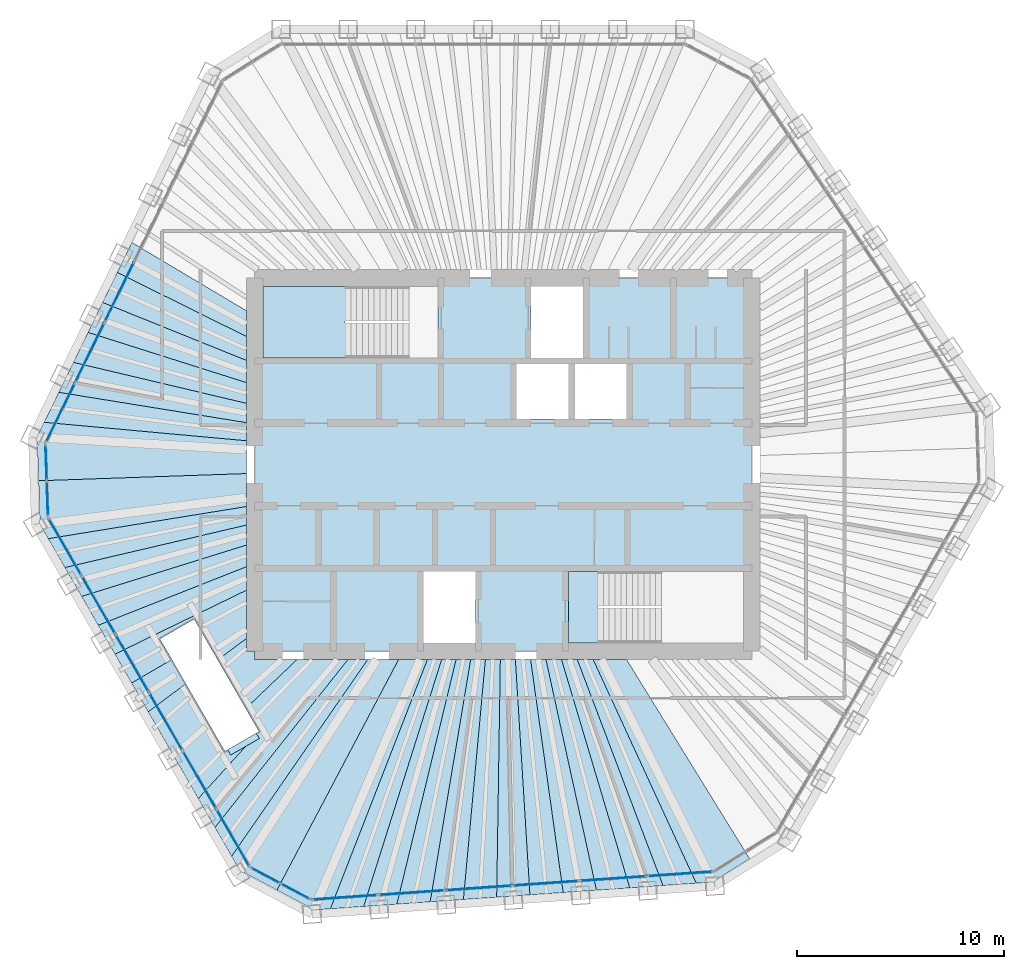
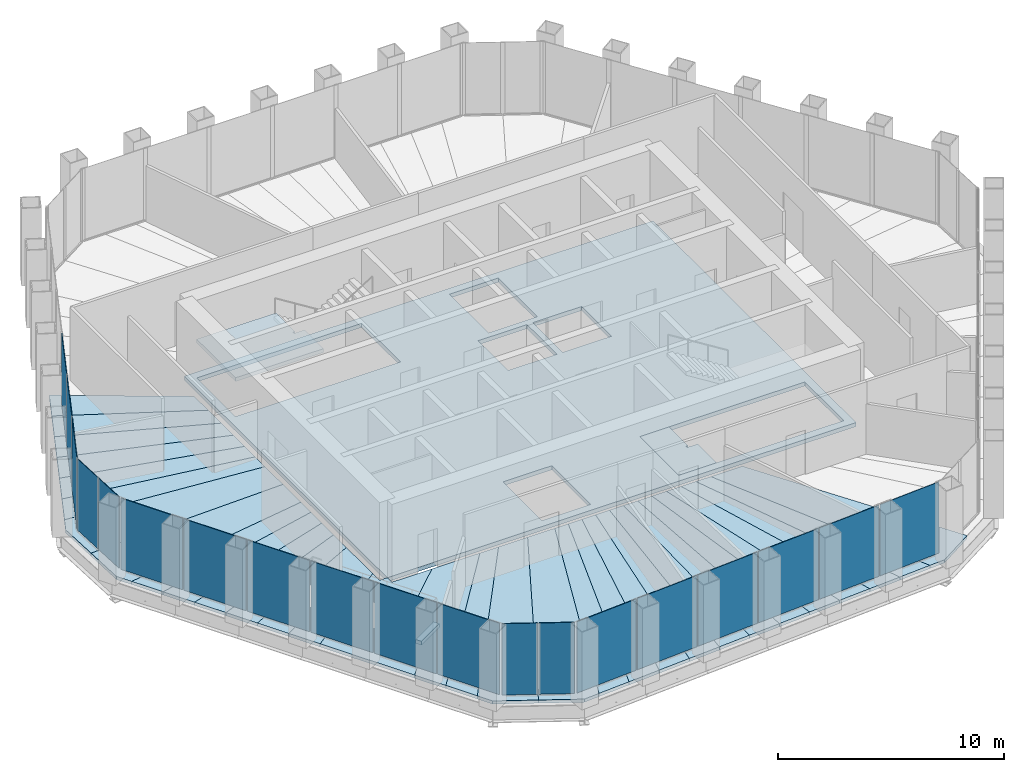
# One storey, part 9 of 14: 36 slabs, 19 plates, 7 elements without a shape of their own.
"""IFC4 building model written with IfcOpenShell, lengths in metres."""

from ifc_helpers import new_model, si_unit, direction, frame, origin, origin_2d, place, context, subcontext, project, spatial, polyline, rectangle, outline, extrude, material, layer, layer_set, type_object, element, aggregate, save


model = new_model("IFC4")

# Units and contexts
model_context = context("Model", 3, precision=1e-05, world=origin(), true_north=direction((0.0, 1.0)))
body_context = subcontext(model_context, "Body", "Model", "MODEL_VIEW")
ifc_project = project(units=[si_unit("LENGTHUNIT", "METRE"), si_unit("AREAUNIT", "SQUARE_METRE"), si_unit("VOLUMEUNIT", "CUBIC_METRE"), si_unit("PLANEANGLEUNIT", "RADIAN"), si_unit("MASSUNIT", "GRAM", prefix="KILO")], contexts=[model_context])

# Site, building, storey
site_placement = place(None, origin())
site = spatial("IfcSite", under=ifc_project, at=site_placement, CompositionType="ELEMENT")
building_placement = place(site_placement, origin())
building = spatial("IfcBuilding", under=site, at=building_placement, Name="Qingtian Harvest Tower", CompositionType="ELEMENT")
storey_placement = place(building_placement, frame((0.0, 0.0, 333.39990234375)))
storey = spatial("IfcBuildingStorey", under=building, at=storey_placement, Name="L74", CompositionType="ELEMENT", Elevation=333.39990234375)

# Slabs
ifc_material_1 = material(Name="Concrete fc' 35 MPa", Category="concrete")
ifc_layer_1 = layer(ifc_material_1, 0.169921875)
ifc_layer_set_1 = layer_set([ifc_layer_1], Name="Composite floor slab FS17 170")
slab_type_1 = type_object("IfcSlabType", Name="Composite floor slab FS17 170", PredefinedType="FLOOR", material=ifc_layer_set_1)
slab_1_placement = place(storey_placement, frame((0.0, 0.0, -0.169921875)))
element("IfcSlab", 1, at=slab_1_placement, inside=storey, type_object=slab_type_1, Name="Floor slab L74 panel D01", PredefinedType="FLOOR", context=body_context, shape_type="SweptSolid", body=[
    extrude(outline(polyline([(-22.422607421875, -0.783203125), (-12.39990234375, -0.436767578125), (-12.39990234375, -2.028564453125), (-21.95751953125, -3.578369140625), (-22.348876953125, -2.90087890625), (-22.422607421875, -0.783203125)])), origin(), (0.0, 0.0, 1.0), 0.169921875),
])
slab_2_placement = place(storey_placement, frame((0.0, 0.0, -0.169921875)))
element("IfcSlab", 2, at=slab_2_placement, inside=storey, type_object=slab_type_1, Name="Floor slab L74 panel D02", PredefinedType="FLOOR", context=body_context, shape_type="SweptSolid", body=[
    extrude(outline(polyline([(-12.39990234375, -2.923095703125), (-21.153076171875, -4.9716796875), (-21.95751953125, -3.578369140625), (-12.39990234375, -2.028564453125), (-12.39990234375, -2.923095703125)])), origin(), (0.0, 0.0, 1.0), 0.169921875),
])
slab_3_placement = place(storey_placement, frame((0.0, 0.0, -0.169921875)))
element("IfcSlab", 3, at=slab_3_placement, inside=storey, type_object=slab_type_1, Name="Floor slab L74 panel D03", PredefinedType="FLOOR", context=body_context, shape_type="SweptSolid", body=[
    extrude(outline(polyline([(-12.39990234375, -3.888427734375), (-20.3486328125, -6.365234375), (-21.153076171875, -4.9716796875), (-12.39990234375, -2.923095703125), (-12.39990234375, -3.888427734375)])), origin(), (0.0, 0.0, 1.0), 0.169921875),
])
slab_4_placement = place(storey_placement, frame((0.0, 0.0, -0.169921875)))
element("IfcSlab", 4, at=slab_4_placement, inside=storey, type_object=slab_type_1, Name="Floor slab L74 panel D04", PredefinedType="FLOOR", context=body_context, shape_type="SweptSolid", body=[
    extrude(outline(polyline([(-12.39990234375, -4.93359375), (-19.544189453125, -7.758544921875), (-20.3486328125, -6.365234375), (-12.39990234375, -3.888427734375), (-12.39990234375, -4.93359375)])), origin(), (0.0, 0.0, 1.0), 0.169921875),
])
slab_5_placement = place(storey_placement, frame((0.0, 0.0, -0.169921875)))
element("IfcSlab", 5, at=slab_5_placement, inside=storey, type_object=slab_type_1, Name="Floor slab L74 panel D05", PredefinedType="FLOOR", context=body_context, shape_type="SweptSolid", body=[
    extrude(outline(polyline([(-12.39990234375, -6.068359375), (-18.73974609375, -9.15185546875), (-19.544189453125, -7.758544921875), (-12.39990234375, -4.93359375), (-12.39990234375, -6.068359375)])), origin(), (0.0, 0.0, 1.0), 0.169921875),
])
slab_6_placement = place(storey_placement, frame((0.0, 0.0, -0.169921875)))
element("IfcSlab", 6, at=slab_6_placement, inside=storey, type_object=slab_type_1, Name="Floor slab L74 panel D06", PredefinedType="FLOOR", context=body_context, shape_type="SweptSolid", body=[
    extrude(outline(polyline([(-17.93505859375, -10.54541015625), (-18.73974609375, -9.15185546875), (-12.39990234375, -6.068359375), (-12.39990234375, -8.400390625), (-13.781494140625, -9.43115234375), (-14.917236328125, -7.4638671875), (-16.562744140625, -8.413818359375), (-15.98974609375, -9.406494140625), (-17.93505859375, -10.54541015625)])), origin(), (0.0, 0.0, 1.0), 0.169921875),
])
slab_7_placement = place(storey_placement, frame((0.0, 0.0, -0.169921875)))
element("IfcSlab", 7, at=slab_7_placement, inside=storey, type_object=slab_type_1, Name="Floor slab L74 panel D07", PredefinedType="FLOOR", context=body_context, shape_type="SweptSolid", body=[
    extrude(outline(polyline([(-15.314697265625, -10.575439453125), (-17.134033203125, -11.932861328125), (-17.93505859375, -10.54541015625), (-15.98974609375, -9.406494140625), (-15.314697265625, -10.575439453125)])), origin(), (0.0, 0.0, 1.0), 0.169921875),
])
slab_8_placement = place(storey_placement, frame((0.0, 0.0, -0.169921875)))
element("IfcSlab", 8, at=slab_8_placement, inside=storey, type_object=slab_type_1, Name="Floor slab L74 panel D09", PredefinedType="FLOOR", context=body_context, shape_type="SweptSolid", body=[
    extrude(outline(polyline([(-13.781494140625, -9.43115234375), (-12.39990234375, -8.400390625), (-12.39990234375, -9.0), (-12.0, -9.0), (-12.0, -9.39990234375), (-9.943115234375, -9.39990234375), (-12.429443359375, -11.77294921875), (-13.781494140625, -9.43115234375)])), origin(), (0.0, 0.0, 1.0), 0.169921875),
])
slab_9_placement = place(storey_placement, frame((0.0, 0.0, -0.169921875)))
element("IfcSlab", 9, at=slab_9_placement, inside=storey, type_object=slab_type_1, Name="Floor slab L74 panel D10", PredefinedType="FLOOR", context=body_context, shape_type="SweptSolid", body=[
    extrude(outline(polyline([(-17.134033203125, -11.932861328125), (-15.314697265625, -10.575439453125), (-13.4326171875, -13.835205078125), (-13.30322265625, -13.75927734375), (-13.15283203125, -14.02001953125), (-12.430908203125, -13.603271484375), (-14.7177734375, -16.1181640625), (-17.134033203125, -11.932861328125)])), origin(), (0.0, 0.0, 1.0), 0.169921875),
])
slab_10_placement = place(storey_placement, frame((0.0, 0.0, -0.169921875)))
element("IfcSlab", 10, at=slab_10_placement, inside=storey, type_object=slab_type_1, Name="Floor slab L74 panel D11", PredefinedType="FLOOR", context=body_context, shape_type="SweptSolid", body=[
    extrude(outline(polyline([(-14.7177734375, -16.1181640625), (-12.430908203125, -13.603271484375), (-11.76708984375, -13.219970703125), (-11.917724609375, -12.959228515625), (-11.787353515625, -12.88525390625), (-12.429443359375, -11.77294921875), (-9.943115234375, -9.39990234375), (-7.488525390625, -9.39990234375), (-13.9130859375, -17.51171875), (-14.7177734375, -16.1181640625)])), origin(), (0.0, 0.0, 1.0), 0.169921875),
])
slab_11_placement = place(storey_placement, frame((0.0, 0.0, -0.169921875)))
element("IfcSlab", 11, at=slab_11_placement, inside=storey, type_object=slab_type_1, Name="Floor slab L74 panel D12", PredefinedType="FLOOR", context=body_context, shape_type="SweptSolid", body=[
    extrude(outline(polyline([(-6.533935546875, -9.39990234375), (-13.108642578125, -18.905029296875), (-13.9130859375, -17.51171875), (-7.488525390625, -9.39990234375), (-6.533935546875, -9.39990234375)])), origin(), (0.0, 0.0, 1.0), 0.169921875),
])
slab_12_placement = place(storey_placement, frame((0.0, 0.0, -0.169921875)))
element("IfcSlab", 12, at=slab_12_placement, inside=storey, type_object=slab_type_1, Name="Floor slab L74 panel D13", PredefinedType="FLOOR", context=body_context, shape_type="SweptSolid", body=[
    extrude(outline(polyline([(-6.533935546875, -9.39990234375), (-5.04638671875, -9.39990234375), (-10.921142578125, -20.537841796875), (-12.717529296875, -19.582763671875), (-13.108642578125, -18.905029296875), (-6.533935546875, -9.39990234375)])), origin(), (0.0, 0.0, 1.0), 0.169921875),
])
slab_13_placement = place(storey_placement, frame((0.0, 0.0, -0.169921875)))
element("IfcSlab", 13, at=slab_13_placement, inside=storey, type_object=slab_type_1, Name="Floor slab L74 panel D14", PredefinedType="FLOOR", context=body_context, shape_type="SweptSolid", body=[
    extrude(outline(polyline([(-5.04638671875, -9.39990234375), (-3.656982421875, -9.39990234375), (-8.343017578125, -21.439208984375), (-9.123291015625, -21.49365234375), (-10.921142578125, -20.537841796875), (-5.04638671875, -9.39990234375)])), origin(), (0.0, 0.0, 1.0), 0.169921875),
])
slab_14_placement = place(storey_placement, frame((0.0, 0.0, -0.169921875)))
element("IfcSlab", 14, at=slab_14_placement, inside=storey, type_object=slab_type_1, Name="Floor slab L74 panel D15", PredefinedType="FLOOR", context=body_context, shape_type="SweptSolid", body=[
    extrude(outline(polyline([(-2.968994140625, -9.39990234375), (-6.738037109375, -21.326904296875), (-8.343017578125, -21.439208984375), (-3.656982421875, -9.39990234375), (-2.968994140625, -9.39990234375)])), origin(), (0.0, 0.0, 1.0), 0.169921875),
])
slab_15_placement = place(storey_placement, frame((0.0, 0.0, -0.169921875)))
element("IfcSlab", 15, at=slab_15_placement, inside=storey, type_object=slab_type_1, Name="Floor slab L74 panel D16", PredefinedType="FLOOR", context=body_context, shape_type="SweptSolid", body=[
    extrude(outline(polyline([(-2.2734375, -9.39990234375), (-5.133056640625, -21.21484375), (-6.738037109375, -21.326904296875), (-2.968994140625, -9.39990234375), (-2.2734375, -9.39990234375)])), origin(), (0.0, 0.0, 1.0), 0.169921875),
])
slab_16_placement = place(storey_placement, frame((0.0, 0.0, -0.169921875)))
element("IfcSlab", 16, at=slab_16_placement, inside=storey, type_object=slab_type_1, Name="Floor slab L74 panel D17", PredefinedType="FLOOR", context=body_context, shape_type="SweptSolid", body=[
    extrude(outline(polyline([(-1.570556640625, -9.39990234375), (-3.528076171875, -21.1025390625), (-5.133056640625, -21.21484375), (-2.2734375, -9.39990234375), (-1.570556640625, -9.39990234375)])), origin(), (0.0, 0.0, 1.0), 0.169921875),
])
slab_17_placement = place(storey_placement, frame((0.0, 0.0, -0.169921875)))
element("IfcSlab", 17, at=slab_17_placement, inside=storey, type_object=slab_type_1, Name="Floor slab L74 panel D18", PredefinedType="FLOOR", context=body_context, shape_type="SweptSolid", body=[
    extrude(outline(polyline([(-0.860107421875, -9.39990234375), (-1.9228515625, -20.990234375), (-3.528076171875, -21.1025390625), (-1.570556640625, -9.39990234375), (-0.860107421875, -9.39990234375)])), origin(), (0.0, 0.0, 1.0), 0.169921875),
])
slab_18_placement = place(storey_placement, frame((0.0, 0.0, -0.169921875)))
element("IfcSlab", 18, at=slab_18_placement, inside=storey, type_object=slab_type_1, Name="Floor slab L74 panel D19", PredefinedType="FLOOR", context=body_context, shape_type="SweptSolid", body=[
    extrude(outline(polyline([(-0.14208984375, -9.39990234375), (-0.31787109375, -20.8779296875), (-1.9228515625, -20.990234375), (-0.860107421875, -9.39990234375), (-0.14208984375, -9.39990234375)])), origin(), (0.0, 0.0, 1.0), 0.169921875),
])
slab_19_placement = place(storey_placement, frame((0.0, 0.0, -0.169921875)))
element("IfcSlab", 19, at=slab_19_placement, inside=storey, type_object=slab_type_1, Name="Floor slab L74 panel D20", PredefinedType="FLOOR", context=body_context, shape_type="SweptSolid", body=[
    extrude(outline(polyline([(0.58349609375, -9.39990234375), (1.287109375, -20.765869140625), (-0.31787109375, -20.8779296875), (-0.14208984375, -9.39990234375), (0.58349609375, -9.39990234375)])), origin(), (0.0, 0.0, 1.0), 0.169921875),
])
slab_20_placement = place(storey_placement, frame((0.0, 0.0, -0.169921875)))
element("IfcSlab", 20, at=slab_20_placement, inside=storey, type_object=slab_type_1, Name="Floor slab L74 panel D21", PredefinedType="FLOOR", context=body_context, shape_type="SweptSolid", body=[
    extrude(outline(polyline([(1.3173828125, -9.39990234375), (2.89208984375, -20.653564453125), (1.287109375, -20.765869140625), (0.58349609375, -9.39990234375), (1.3173828125, -9.39990234375)])), origin(), (0.0, 0.0, 1.0), 0.169921875),
])
slab_21_placement = place(storey_placement, frame((0.0, 0.0, -0.169921875)))
element("IfcSlab", 21, at=slab_21_placement, inside=storey, type_object=slab_type_1, Name="Floor slab L74 panel D22", PredefinedType="FLOOR", context=body_context, shape_type="SweptSolid", body=[
    extrude(outline(polyline([(2.058837890625, -9.39990234375), (4.4970703125, -20.541259765625), (2.89208984375, -20.653564453125), (1.3173828125, -9.39990234375), (2.058837890625, -9.39990234375)])), origin(), (0.0, 0.0, 1.0), 0.169921875),
])
slab_22_placement = place(storey_placement, frame((0.0, 0.0, -0.169921875)))
element("IfcSlab", 22, at=slab_22_placement, inside=storey, type_object=slab_type_1, Name="Floor slab L74 panel D23", PredefinedType="FLOOR", context=body_context, shape_type="SweptSolid", body=[
    extrude(outline(polyline([(2.808837890625, -9.39990234375), (6.10205078125, -20.42919921875), (4.4970703125, -20.541259765625), (2.058837890625, -9.39990234375), (2.808837890625, -9.39990234375)])), origin(), (0.0, 0.0, 1.0), 0.169921875),
])
slab_23_placement = place(storey_placement, frame((0.0, 0.0, -0.169921875)))
element("IfcSlab", 23, at=slab_23_placement, inside=storey, type_object=slab_type_1, Name="Floor slab L74 panel D24", PredefinedType="FLOOR", context=body_context, shape_type="SweptSolid", body=[
    extrude(outline(polyline([(3.56689453125, -9.39990234375), (7.70703125, -20.31689453125), (6.10205078125, -20.42919921875), (2.808837890625, -9.39990234375), (3.56689453125, -9.39990234375)])), origin(), (0.0, 0.0, 1.0), 0.169921875),
])
slab_24_placement = place(storey_placement, frame((0.0, 0.0, -0.169921875)))
element("IfcSlab", 24, at=slab_24_placement, inside=storey, type_object=slab_type_1, Name="Floor slab L74 panel D25", PredefinedType="FLOOR", context=body_context, shape_type="SweptSolid", body=[
    extrude(outline(polyline([(4.33349609375, -9.39990234375), (9.312255859375, -20.20458984375), (7.70703125, -20.31689453125), (3.56689453125, -9.39990234375), (4.33349609375, -9.39990234375)])), origin(), (0.0, 0.0, 1.0), 0.169921875),
])
slab_25_placement = place(storey_placement, frame((0.0, 0.0, -0.169921875)))
element("IfcSlab", 25, at=slab_25_placement, inside=storey, type_object=slab_type_1, Name="Floor slab L74 panel D26", PredefinedType="FLOOR", context=body_context, shape_type="SweptSolid", body=[
    extrude(outline(polyline([(4.33349609375, -9.39990234375), (5.945556640625, -9.39990234375), (11.890380859375, -19.026611328125), (10.09228515625, -20.150146484375), (9.312255859375, -20.20458984375), (4.33349609375, -9.39990234375)])), origin(), (0.0, 0.0, 1.0), 0.169921875),
])
slab_26_placement = place(storey_placement, frame((0.0, 0.0, -0.169921875)))
element("IfcSlab", 26, at=slab_26_placement, inside=storey, type_object=slab_type_1, Name="Floor slab L74 panel D72", PredefinedType="FLOOR", context=body_context, shape_type="SweptSolid", body=[
    extrude(outline(polyline([(-12.39990234375, 6.18115234375), (-18.627197265625, 9.2685546875), (-17.921875, 10.714599609375), (-12.39990234375, 7.42578125), (-12.39990234375, 6.18115234375)])), origin(), (0.0, 0.0, 1.0), 0.169921875),
])
slab_27_placement = place(storey_placement, frame((0.0, 0.0, -0.169921875)))
element("IfcSlab", 27, at=slab_27_placement, inside=storey, type_object=slab_type_1, Name="Floor slab L74 panel D73", PredefinedType="FLOOR", context=body_context, shape_type="SweptSolid", body=[
    extrude(outline(polyline([(-12.39990234375, 5.02734375), (-19.33251953125, 7.822509765625), (-18.627197265625, 9.2685546875), (-12.39990234375, 6.18115234375), (-12.39990234375, 5.02734375)])), origin(), (0.0, 0.0, 1.0), 0.169921875),
])
slab_28_placement = place(storey_placement, frame((0.0, 0.0, -0.169921875)))
element("IfcSlab", 28, at=slab_28_placement, inside=storey, type_object=slab_type_1, Name="Floor slab L74 panel D74", PredefinedType="FLOOR", context=body_context, shape_type="SweptSolid", body=[
    extrude(outline(polyline([(-12.39990234375, 3.954833984375), (-20.037841796875, 6.376220703125), (-19.33251953125, 7.822509765625), (-12.39990234375, 5.02734375), (-12.39990234375, 3.954833984375)])), origin(), (0.0, 0.0, 1.0), 0.169921875),
])
slab_29_placement = place(storey_placement, frame((0.0, 0.0, -0.169921875)))
element("IfcSlab", 29, at=slab_29_placement, inside=storey, type_object=slab_type_1, Name="Floor slab L74 panel D75", PredefinedType="FLOOR", context=body_context, shape_type="SweptSolid", body=[
    extrude(outline(polyline([(-12.39990234375, 2.955322265625), (-20.7431640625, 4.93017578125), (-20.037841796875, 6.376220703125), (-12.39990234375, 3.954833984375), (-12.39990234375, 2.955322265625)])), origin(), (0.0, 0.0, 1.0), 0.169921875),
])
slab_30_placement = place(storey_placement, frame((0.0, 0.0, -0.169921875)))
element("IfcSlab", 30, at=slab_30_placement, inside=storey, type_object=slab_type_1, Name="Floor slab L74 panel D76", PredefinedType="FLOOR", context=body_context, shape_type="SweptSolid", body=[
    extrude(outline(polyline([(-12.39990234375, 2.021484375), (-21.448486328125, 3.484130859375), (-20.7431640625, 4.93017578125), (-12.39990234375, 2.955322265625), (-12.39990234375, 2.021484375)])), origin(), (0.0, 0.0, 1.0), 0.169921875),
])
slab_31_placement = place(storey_placement, frame((0.0, 0.0, -0.169921875)))
element("IfcSlab", 31, at=slab_31_placement, inside=storey, type_object=slab_type_1, Name="Floor slab L74 panel D77", PredefinedType="FLOOR", context=body_context, shape_type="SweptSolid", body=[
    extrude(outline(polyline([(-12.39990234375, 1.147216796875), (-22.15380859375, 2.037841796875), (-21.448486328125, 3.484130859375), (-12.39990234375, 2.021484375), (-12.39990234375, 1.147216796875)])), origin(), (0.0, 0.0, 1.0), 0.169921875),
])
slab_32_placement = place(storey_placement, frame((0.0, 0.0, -0.169921875)))
element("IfcSlab", 32, at=slab_32_placement, inside=storey, type_object=slab_type_1, Name="Floor slab L74 panel D78", PredefinedType="FLOOR", context=body_context, shape_type="SweptSolid", body=[
    extrude(outline(polyline([(-12.39990234375, 1.147216796875), (-12.39990234375, -0.436767578125), (-22.422607421875, -0.783203125), (-22.49658203125, 1.334716796875), (-22.15380859375, 2.037841796875), (-12.39990234375, 1.147216796875)])), origin(), (0.0, 0.0, 1.0), 0.169921875),
])
ifc_material_2 = material(Name="Concrete fc' 35 MPa", Category="concrete")
ifc_layer_2 = layer(ifc_material_2, 0.219970703125)
ifc_layer_set_2 = layer_set([ifc_layer_2], Name="Core floor slab CS22 220")
slab_type_2 = type_object("IfcSlabType", Name="Core floor slab CS22 220", PredefinedType="FLOOR", material=ifc_layer_set_2)
slab_33_placement = place(storey_placement, frame((0.0, 0.0, -0.219970703125)))
element("IfcSlab", 33, at=slab_33_placement, inside=storey, type_object=slab_type_2, Name="Core floor slab L74", PredefinedType="FLOOR", context=body_context, shape_type="SweptSolid", body=[
    extrude(outline(polyline([(-12.0, -9.0), (12.0, -9.0), (12.0, 9.0), (-12.0, 9.0), (-12.0, -9.0)]), holes=[polyline([(-11.60009765625, 5.14990234375), (-3.14990234375, 5.14990234375), (-3.14990234375, 8.60009765625), (-11.60009765625, 8.60009765625), (-11.60009765625, 5.14990234375)]), polyline([(3.14990234375, -8.60009765625), (11.60009765625, -8.60009765625), (11.60009765625, -5.14990234375), (3.14990234375, -5.14990234375), (3.14990234375, -8.60009765625)]), polyline([(1.35009765625, 5.14990234375), (3.85009765625, 5.14990234375), (3.85009765625, 8.60009765625), (1.35009765625, 8.60009765625), (1.35009765625, 5.14990234375)]), polyline([(-3.85009765625, -8.60009765625), (-1.35009765625, -8.60009765625), (-1.35009765625, -5.14990234375), (-3.85009765625, -5.14990234375), (-3.85009765625, -8.60009765625)]), polyline([(0.64990234375, 2.199951171875), (3.14990234375, 2.199951171875), (3.14990234375, 4.85009765625), (0.64990234375, 4.85009765625), (0.64990234375, 2.199951171875)]), polyline([(3.449951171875, 2.199951171875), (5.949951171875, 2.199951171875), (5.949951171875, 4.85009765625), (3.449951171875, 4.85009765625), (3.449951171875, 2.199951171875)])]), origin(), (0.0, 0.0, 1.0), 0.219970703125),
])
ifc_material_3 = material(Name="Steel deck with terrazzo", Category="steel")
ifc_layer_3 = layer(ifc_material_3, 0.199951171875)
ifc_layer_set_3 = layer_set([ifc_layer_3], Name="Feature stair landing SL3 200")
slab_type_3 = type_object("IfcSlabType", Name="Feature stair landing SL3 200", PredefinedType="LANDING", material=ifc_layer_set_3)
slab_34_placement = place(storey_placement, frame((0.0, 0.0, -0.199951171875)))
element("IfcSlab", 34, at=slab_34_placement, inside=storey, type_object=slab_type_3, Name="Feature stair FS6 top landing", PredefinedType="LANDING", context=body_context, shape_type="SweptSolid", body=[
    extrude(outline(polyline([(-13.30322265625, -13.75927734375), (-13.15283203125, -14.02001953125), (-11.76708984375, -13.219970703125), (-11.917724609375, -12.959228515625), (-13.30322265625, -13.75927734375)])), origin(), (0.0, 0.0, 1.0), 0.199951171875),
])

# Curtain wall, plates
ifc_material_4 = material(Name="Bronze-anodised aluminium curtain wall", Category="aluminium")
curtain_wall_type = type_object("IfcCurtainWallType", Name="Curtain wall CW6 executive floors", PredefinedType="USERDEFINED", material=ifc_material_4)
curtain_wall_1_placement = place(storey_placement, origin())
curtain_wall_1 = element("IfcCurtainWall", 35, at=curtain_wall_1_placement, inside=storey, type_object=curtain_wall_type, Name="Curtain wall CW6 L74 S0-5", ObjectType="RECESSED CURTAIN WALL", PredefinedType="USERDEFINED")
ifc_material_5 = material(Name="Bronze-tinted laminated insulating glass", Category="glass")
ifc_layer_4 = layer(ifc_material_5, 0.030029296875)
ifc_layer_set_4 = layer_set([ifc_layer_4], Name="Glazed panel CWP tinted IGU")
plate_type = type_object("IfcPlateType", Name="Glazed panel CWP tinted IGU", PredefinedType="CURTAIN_PANEL", material=ifc_layer_set_4)
plate_1_placement = place(storey_placement, frame((8.5244140625, -19.75341796875, 0.065185546875), z_axis=(0.0, 0.0, 1.0), x_axis=(-0.99756405026, -0.069756473744, 0.0)))
plate_1 = element("IfcPlate", 36, at=plate_1_placement, type_object=plate_type, Name="CW6 panel 1.1", PredefinedType="CURTAIN_PANEL", context=body_context, shape_type="SweptSolid", body=[
    extrude(rectangle(XDim=3.150634765625, YDim=0.030029296875, at=origin_2d()), origin(), (0.0, 0.0, 1.0), 3.85498046875),
])
plate_2_placement = place(storey_placement, frame((5.300537109375, -19.97900390625, 0.065185546875), z_axis=(0.0, 0.0, 1.0), x_axis=(-0.99756405026, -0.069756473744, 0.0)))
plate_2 = element("IfcPlate", 37, at=plate_2_placement, type_object=plate_type, Name="CW6 panel 2.1", PredefinedType="CURTAIN_PANEL", context=body_context, shape_type="SweptSolid", body=[
    extrude(rectangle(XDim=3.18310546875, YDim=0.030029296875, at=origin_2d()), origin(), (0.0, 0.0, 1.0), 3.85498046875),
])
plate_3_placement = place(storey_placement, frame((2.060302734375, -20.20556640625, 0.065185546875), z_axis=(0.0, 0.0, 1.0), x_axis=(-0.99756405026, -0.069756473744, 0.0)))
plate_3 = element("IfcPlate", 38, at=plate_3_placement, type_object=plate_type, Name="CW6 panel 3.1", PredefinedType="CURTAIN_PANEL", context=body_context, shape_type="SweptSolid", body=[
    extrude(rectangle(XDim=3.18310546875, YDim=0.030029296875, at=origin_2d()), origin(), (0.0, 0.0, 1.0), 3.85498046875),
])
plate_4_placement = place(storey_placement, frame((-1.1796875, -20.43212890625, 0.065185546875), z_axis=(0.0, 0.0, 1.0), x_axis=(-0.99756405026, -0.069756473744, 0.0)))
plate_4 = element("IfcPlate", 39, at=plate_4_placement, type_object=plate_type, Name="CW6 panel 4.1", PredefinedType="CURTAIN_PANEL", context=body_context, shape_type="SweptSolid", body=[
    extrude(rectangle(XDim=3.18310546875, YDim=0.030029296875, at=origin_2d()), origin(), (0.0, 0.0, 1.0), 3.85498046875),
])
plate_5_placement = place(storey_placement, frame((-4.419921875, -20.65869140625, 0.065185546875), z_axis=(0.0, 0.0, 1.0), x_axis=(-0.99756405026, -0.069756473744, 0.0)))
plate_5 = element("IfcPlate", 40, at=plate_5_placement, type_object=plate_type, Name="CW6 panel 5.1", PredefinedType="CURTAIN_PANEL", context=body_context, shape_type="SweptSolid", body=[
    extrude(rectangle(XDim=3.18310546875, YDim=0.030029296875, at=origin_2d()), origin(), (0.0, 0.0, 1.0), 3.85498046875),
])
plate_6_placement = place(storey_placement, frame((-7.643798828125, -20.884033203125, 0.065185546875), z_axis=(0.0, 0.0, 1.0), x_axis=(-0.99756405026, -0.069756473744, 0.0)))
plate_6 = element("IfcPlate", 41, at=plate_6_placement, type_object=plate_type, Name="CW6 panel 6.1", PredefinedType="CURTAIN_PANEL", context=body_context, shape_type="SweptSolid", body=[
    extrude(rectangle(XDim=3.150634765625, YDim=0.030029296875, at=origin_2d()), origin(), (0.0, 0.0, 1.0), 3.85498046875),
])
aggregate(curtain_wall_1, [plate_1, plate_2, plate_3, plate_4, plate_5, plate_6])

curtain_wall_2_placement = place(storey_placement, origin())
curtain_wall_2 = element("IfcCurtainWall", 42, at=curtain_wall_2_placement, inside=storey, type_object=curtain_wall_type, Name="Curtain wall CW6 L74 SC", ObjectType="RECESSED CURTAIN WALL", PredefinedType="USERDEFINED")
plate_7_placement = place(storey_placement, frame((-10.029296875, -20.60009765625, 0.065185546875), z_axis=(0.0, 0.0, 1.0), x_axis=(-0.882947592859, 0.469471562786, 0.0)))
plate_7 = element("IfcPlate", 43, at=plate_7_placement, type_object=plate_type, Name="CW6 panel 1.1", PredefinedType="CURTAIN_PANEL", context=body_context, shape_type="SweptSolid", body=[
    extrude(rectangle(XDim=1.56689453125, YDim=0.030029296875, at=origin_2d()), origin(), (0.0, 0.0, 1.0), 3.85498046875),
])
plate_8_placement = place(storey_placement, frame((-11.469970703125, -19.833984375, 0.065185546875), z_axis=(0.0, 0.0, 1.0), x_axis=(-0.882947592859, 0.469471562786, 0.0)))
plate_8 = element("IfcPlate", 44, at=plate_8_placement, type_object=plate_type, Name="CW6 panel 2.1", PredefinedType="CURTAIN_PANEL", context=body_context, shape_type="SweptSolid", body=[
    extrude(rectangle(XDim=1.56689453125, YDim=0.030029296875, at=origin_2d()), origin(), (0.0, 0.0, 1.0), 3.85498046875),
])
aggregate(curtain_wall_2, [plate_7, plate_8])

curtain_wall_3_placement = place(storey_placement, origin())
curtain_wall_3 = element("IfcCurtainWall", 45, at=curtain_wall_3_placement, inside=storey, type_object=curtain_wall_type, Name="Curtain wall CW6 L74 SW0-5", ObjectType="RECESSED CURTAIN WALL", PredefinedType="USERDEFINED")
plate_9_placement = place(storey_placement, frame((-13.039306640625, -18.01513671875, 0.065185546875), z_axis=(0.0, 0.0, 1.0), x_axis=(-0.5, 0.866025403784, 0.0)))
plate_9 = element("IfcPlate", 46, at=plate_9_placement, type_object=plate_type, Name="CW6 panel 1.1", PredefinedType="CURTAIN_PANEL", context=body_context, shape_type="SweptSolid", body=[
    extrude(rectangle(XDim=3.150634765625, YDim=0.030029296875, at=origin_2d()), origin(), (0.0, 0.0, 1.0), 3.85498046875),
])
plate_10_placement = place(storey_placement, frame((-14.6552734375, -15.216552734375, 0.065185546875), z_axis=(0.0, 0.0, 1.0), x_axis=(-0.5, 0.866025403784, 0.0)))
plate_10 = element("IfcPlate", 47, at=plate_10_placement, type_object=plate_type, Name="CW6 panel 2.1", PredefinedType="CURTAIN_PANEL", context=body_context, shape_type="SweptSolid", body=[
    extrude(rectangle(XDim=3.18310546875, YDim=0.030029296875, at=origin_2d()), origin(), (0.0, 0.0, 1.0), 3.85498046875),
])
plate_11_placement = place(storey_placement, frame((-16.279296875, -12.403564453125, 0.065185546875), z_axis=(0.0, 0.0, 1.0), x_axis=(-0.5, 0.866025403784, 0.0)))
plate_11 = element("IfcPlate", 48, at=plate_11_placement, type_object=plate_type, Name="CW6 panel 3.1", PredefinedType="CURTAIN_PANEL", context=body_context, shape_type="SweptSolid", body=[
    extrude(rectangle(XDim=3.18310546875, YDim=0.030029296875, at=origin_2d()), origin(), (0.0, 0.0, 1.0), 3.85498046875),
])
plate_12_placement = place(storey_placement, frame((-17.9033203125, -9.590576171875, 0.065185546875), z_axis=(0.0, 0.0, 1.0), x_axis=(-0.5, 0.866025403784, 0.0)))
plate_12 = element("IfcPlate", 49, at=plate_12_placement, type_object=plate_type, Name="CW6 panel 4.1", PredefinedType="CURTAIN_PANEL", context=body_context, shape_type="SweptSolid", body=[
    extrude(rectangle(XDim=3.18310546875, YDim=0.030029296875, at=origin_2d()), origin(), (0.0, 0.0, 1.0), 3.85498046875),
])
plate_13_placement = place(storey_placement, frame((-19.52734375, -6.77783203125, 0.065185546875), z_axis=(0.0, 0.0, 1.0), x_axis=(-0.5, 0.866025403784, 0.0)))
plate_13 = element("IfcPlate", 50, at=plate_13_placement, type_object=plate_type, Name="CW6 panel 5.1", PredefinedType="CURTAIN_PANEL", context=body_context, shape_type="SweptSolid", body=[
    extrude(rectangle(XDim=3.18310546875, YDim=0.030029296875, at=origin_2d()), origin(), (0.0, 0.0, 1.0), 3.85498046875),
])
plate_14_placement = place(storey_placement, frame((-21.14306640625, -3.97900390625, 0.065185546875), z_axis=(0.0, 0.0, 1.0), x_axis=(-0.5, 0.866025403784, 0.0)))
plate_14 = element("IfcPlate", 51, at=plate_14_placement, type_object=plate_type, Name="CW6 panel 6.1", PredefinedType="CURTAIN_PANEL", context=body_context, shape_type="SweptSolid", body=[
    extrude(rectangle(XDim=3.150634765625, YDim=0.030029296875, at=origin_2d()), origin(), (0.0, 0.0, 1.0), 3.85498046875),
])
aggregate(curtain_wall_3, [plate_9, plate_10, plate_11, plate_12, plate_13, plate_14])

curtain_wall_4_placement = place(storey_placement, origin())
curtain_wall_4 = element("IfcCurtainWall", 52, at=curtain_wall_4_placement, inside=storey, type_object=curtain_wall_type, Name="Curtain wall CW6 L74 SWC", ObjectType="RECESSED CURTAIN WALL", PredefinedType="USERDEFINED")
plate_15_placement = place(storey_placement, frame((-21.9951171875, -1.647705078125, 0.065185546875), z_axis=(0.0, 0.0, 1.0), x_axis=(-0.034899496703, 0.999390827019, 0.0)))
plate_15 = element("IfcPlate", 53, at=plate_15_placement, type_object=plate_type, Name="CW6 panel 1.1", PredefinedType="CURTAIN_PANEL", context=body_context, shape_type="SweptSolid", body=[
    extrude(rectangle(XDim=1.69287109375, YDim=0.030029296875, at=origin_2d()), origin(), (0.0, 0.0, 1.0), 3.85498046875),
])
plate_16_placement = place(storey_placement, frame((-22.056396484375, 0.109375, 0.065185546875), z_axis=(0.0, 0.0, 1.0), x_axis=(-0.034899496703, 0.999390827019, 0.0)))
plate_16 = element("IfcPlate", 54, at=plate_16_placement, type_object=plate_type, Name="CW6 panel 2.1", PredefinedType="CURTAIN_PANEL", context=body_context, shape_type="SweptSolid", body=[
    extrude(rectangle(XDim=1.69287109375, YDim=0.030029296875, at=origin_2d()), origin(), (0.0, 0.0, 1.0), 3.85498046875),
])
aggregate(curtain_wall_4, [plate_15, plate_16])

curtain_wall_5_placement = place(storey_placement, origin())
curtain_wall_5 = element("IfcCurtainWall", 55, at=curtain_wall_5_placement, inside=storey, type_object=curtain_wall_type, Name="Curtain wall CW6 L74 NW0-5", ObjectType="RECESSED CURTAIN WALL", PredefinedType="USERDEFINED")
plate_17_placement = place(storey_placement, frame((-21.369140625, 2.494384765625, 0.065185546875), z_axis=(0.0, 0.0, 1.0), x_axis=(0.438371146789, 0.898794046299, 0.0)))
plate_17 = element("IfcPlate", 56, at=plate_17_placement, type_object=plate_type, Name="CW6 panel 1.1", PredefinedType="CURTAIN_PANEL", context=body_context, shape_type="SweptSolid", body=[
    extrude(rectangle(XDim=3.150634765625, YDim=0.030029296875, at=origin_2d()), origin(), (0.0, 0.0, 1.0), 3.85498046875),
])
plate_18_placement = place(storey_placement, frame((-19.952392578125, 5.399169921875, 0.065185546875), z_axis=(0.0, 0.0, 1.0), x_axis=(0.438371146789, 0.898794046299, 0.0)))
plate_18 = element("IfcPlate", 57, at=plate_18_placement, type_object=plate_type, Name="CW6 panel 2.1", PredefinedType="CURTAIN_PANEL", context=body_context, shape_type="SweptSolid", body=[
    extrude(rectangle(XDim=3.18310546875, YDim=0.030029296875, at=origin_2d()), origin(), (0.0, 0.0, 1.0), 3.85498046875),
])
plate_19_placement = place(storey_placement, frame((-18.528564453125, 8.318359375, 0.065185546875), z_axis=(0.0, 0.0, 1.0), x_axis=(0.438371146789, 0.898794046299, 0.0)))
plate_19 = element("IfcPlate", 58, at=plate_19_placement, type_object=plate_type, Name="CW6 panel 3.1", PredefinedType="CURTAIN_PANEL", context=body_context, shape_type="SweptSolid", body=[
    extrude(rectangle(XDim=3.18310546875, YDim=0.030029296875, at=origin_2d()), origin(), (0.0, 0.0, 1.0), 3.85498046875),
])
aggregate(curtain_wall_5, [plate_17, plate_18, plate_19])

# Stair, slab
ifc_material_6 = material(Name="Concrete fc' 35 MPa", Category="concrete")
stair_type = type_object("IfcStairType", Name="Special stair ST7 4200", PredefinedType="HALF_TURN_STAIR", material=ifc_material_6)
stair_1_placement = place(storey_placement, origin())
stair_1 = element("IfcStair", 59, at=stair_1_placement, inside=storey, type_object=stair_type, Name="Special stair S1 L74", PredefinedType="HALF_TURN_STAIR")
ifc_material_7 = material(Name="Concrete fc' 35 MPa", Category="concrete")
ifc_layer_5 = layer(ifc_material_7, 0.199951171875)
ifc_layer_set_5 = layer_set([ifc_layer_5], Name="Stair landing SL2 200")
slab_type_4 = type_object("IfcSlabType", Name="Stair landing SL2 200", PredefinedType="LANDING", material=ifc_layer_set_5)
slab_35_placement = place(storey_placement, frame((0.0, 0.0, 1.900146484375)))
slab_35 = element("IfcSlab", 60, at=slab_35_placement, type_object=slab_type_4, Name="S1 landing 2", PredefinedType="LANDING", context=body_context, shape_type="SweptSolid", body=[
    extrude(outline(polyline([(-7.094970703125, 5.14990234375), (-11.60009765625, 5.14990234375), (-11.60009765625, 8.60009765625), (-7.530029296875, 8.60009765625), (-7.530029296875, 6.925048828125), (-7.6298828125, 6.925048828125), (-7.6298828125, 6.824951171875), (-7.094970703125, 6.824951171875), (-7.094970703125, 5.14990234375)])), origin(), (0.0, 0.0, 1.0), 0.199951171875),
])
aggregate(stair_1, [slab_35])

stair_2_placement = place(storey_placement, origin())
stair_2 = element("IfcStair", 61, at=stair_2_placement, inside=storey, type_object=stair_type, Name="Special stair S2 L74", PredefinedType="HALF_TURN_STAIR")
slab_36_placement = place(storey_placement, frame((0.0, 0.0, -0.199951171875)))
slab_36 = element("IfcSlab", 62, at=slab_36_placement, type_object=slab_type_4, Name="S2 landing 1", PredefinedType="LANDING", context=body_context, shape_type="SweptSolid", body=[
    extrude(outline(polyline([(5.0849609375, -8.60009765625), (3.14990234375, -8.60009765625), (3.14990234375, -5.14990234375), (4.64990234375, -5.14990234375), (4.64990234375, -6.824951171875), (4.550048828125, -6.824951171875), (4.550048828125, -6.925048828125), (5.0849609375, -6.925048828125), (5.0849609375, -8.60009765625)])), origin(), (0.0, 0.0, 1.0), 0.199951171875),
])
aggregate(stair_2, [slab_36])

save(model, "model.ifc")
